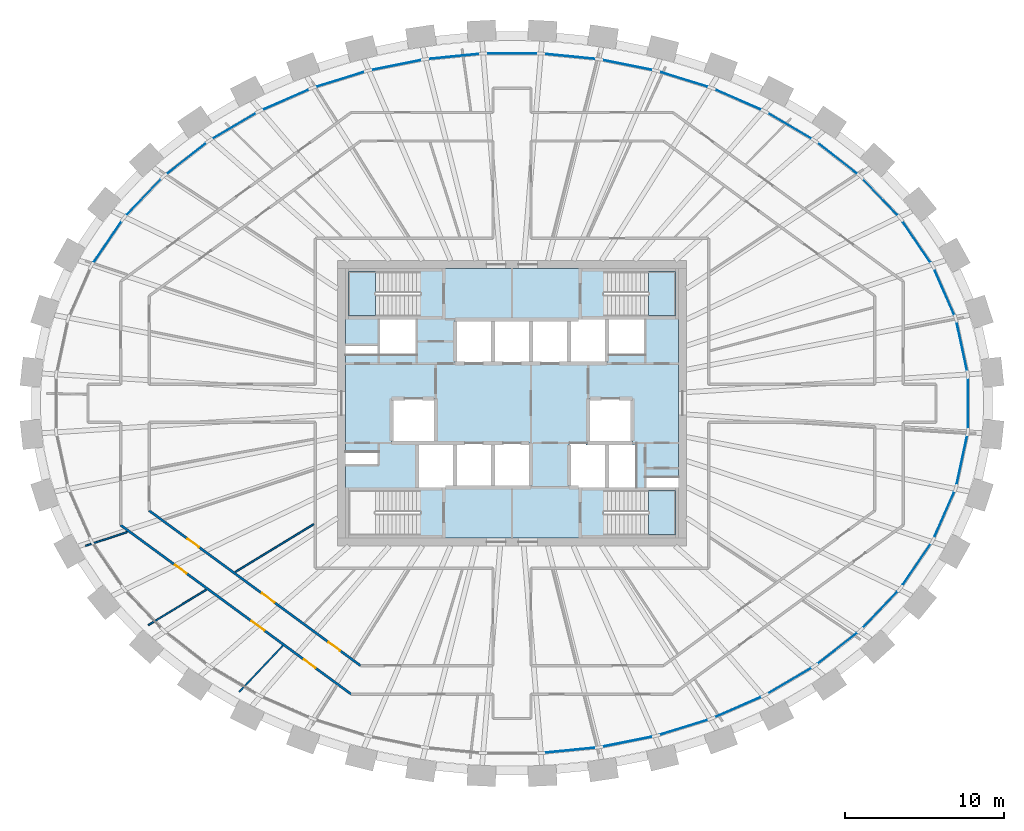
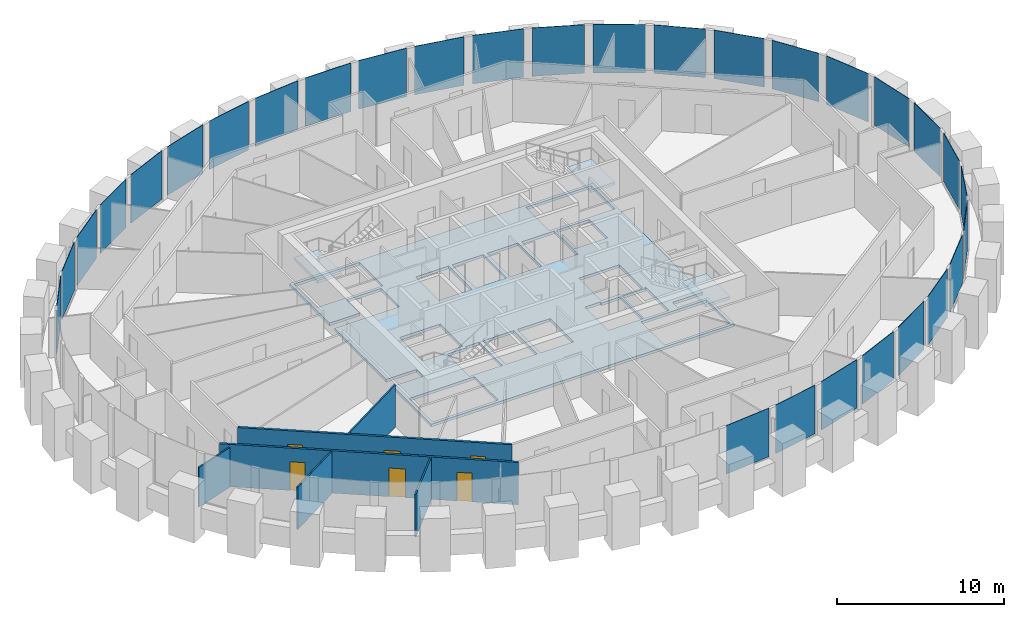
# One storey, part 5 of 12: 30 plates, 6 doors, 6 walls, 4 slabs, 6 openings, 4 elements without a shape of their own.
"""IFC4 building model written with IfcOpenShell, lengths in metres."""

from ifc_helpers import new_model, si_unit, direction, frame, frame_2d, origin, origin_2d, place, context, subcontext, project, spatial, polyline, rectangle, outline, extrude, source, transform, mapped, material, layer, layer_set, type_object, element, fill, aggregate, save


model = new_model("IFC4")

# Units and contexts
model_context = context("Model", 3, precision=1e-05, world=origin(), true_north=direction((0.0, 1.0)))
body_context = subcontext(model_context, "Body", "Model", "MODEL_VIEW")
ifc_project = project(units=[si_unit("LENGTHUNIT", "METRE"), si_unit("AREAUNIT", "SQUARE_METRE"), si_unit("VOLUMEUNIT", "CUBIC_METRE"), si_unit("PLANEANGLEUNIT", "RADIAN"), si_unit("MASSUNIT", "GRAM", prefix="KILO")], contexts=[model_context])

# Site, building, storey
site_placement = place(None, origin())
site = spatial("IfcSite", under=ifc_project, at=site_placement, CompositionType="ELEMENT")
building_placement = place(site_placement, origin())
building = spatial("IfcBuilding", under=site, at=building_placement, Name="Embergate Tower", CompositionType="ELEMENT")
storey_placement = place(building_placement, frame((0.0, 0.0, 313.0)))
storey = spatial("IfcBuildingStorey", under=building, at=storey_placement, Name="L73", CompositionType="ELEMENT", Elevation=313.0)

# Curtain wall, plates
ifc_material_1 = material(Name="Aluminium and glass", Category="aluminium")
curtain_wall_type = type_object("IfcCurtainWallType", Name="Recessed office glazing", PredefinedType="NOTDEFINED", material=ifc_material_1)
curtain_wall_placement = place(storey_placement, origin())
curtain_wall = element("IfcCurtainWall", 1, at=curtain_wall_placement, inside=storey, type_object=curtain_wall_type, Name="Recessed office glazing ring", ObjectType="RECESSED OFFICE GLAZING", PredefinedType="USERDEFINED")
ifc_material_2 = material(Name="Triple glazing, low-emissivity coating", Category="glass")
ifc_layer_1 = layer(ifc_material_2, 0.035888671875)
ifc_layer_set_1 = layer_set([ifc_layer_1], Name="Triple glazing, low-emissivity coating")
plate_type = type_object("IfcPlateType", Name="Office glazing unit", PredefinedType="CURTAIN_PANEL", material=ifc_layer_set_1)
shared_shape_1 = source(origin(), body_context, "Body", "SweptSolid", [
    extrude(rectangle(XDim=3.101318359375, YDim=0.035888671875, at=origin_2d()), origin(), (0.0, 0.0, 1.0), 3.550048828125),
])
plate_1_placement = place(storey_placement, frame((28.3701171875, 3.57958984375, 0.14990234375), z_axis=(0.0, 0.0, 1.0), x_axis=(-0.210400097438, 0.977615363524, 0.0)))
plate_1 = element("IfcPlate", 2, at=plate_1_placement, type_object=plate_type, Name="CW panel 1.1", PredefinedType="CURTAIN_PANEL", context=body_context, shape_type="MappedRepresentation", body=[
    mapped(shared_shape_1, transform((0.0, 0.0, 0.0))),
])
plate_2_placement = place(storey_placement, frame((28.3701171875, -3.57958984375, 0.14990234375), z_axis=(0.0, 0.0, 1.0), x_axis=(0.210400097438, 0.977615363524, 0.0)))
plate_2 = element("IfcPlate", 3, at=plate_2_placement, type_object=plate_type, Name="CW panel 43.1", PredefinedType="CURTAIN_PANEL", context=body_context, shape_type="MappedRepresentation", body=[
    mapped(shared_shape_1, transform((0.0, 0.0, 0.0))),
])
shared_shape_2 = source(origin(), body_context, "Body", "SweptSolid", [
    extrude(rectangle(XDim=3.108154296875, YDim=0.035888671875, at=origin_2d()), origin(), (0.0, 0.0, 1.0), 3.550048828125),
])
plate_3_placement = place(storey_placement, frame((27.260498046875, 7.010986328125, 0.14990234375), z_axis=(0.0, 0.0, 1.0), x_axis=(-0.401653699516, 0.915791627864, 0.0)))
plate_3 = element("IfcPlate", 4, at=plate_3_placement, type_object=plate_type, Name="CW panel 2.1", PredefinedType="CURTAIN_PANEL", context=body_context, shape_type="MappedRepresentation", body=[
    mapped(shared_shape_2, transform((0.0, 0.0, 0.0))),
])
plate_4_placement = place(storey_placement, frame((27.260498046875, -7.010986328125, 0.14990234375), z_axis=(0.0, 0.0, 1.0), x_axis=(0.401653699516, 0.915791627864, 0.0)))
plate_4 = element("IfcPlate", 5, at=plate_4_placement, type_object=plate_type, Name="CW panel 42.1", PredefinedType="CURTAIN_PANEL", context=body_context, shape_type="MappedRepresentation", body=[
    mapped(shared_shape_2, transform((0.0, 0.0, 0.0))),
])
shared_shape_3 = source(origin(), body_context, "Body", "SweptSolid", [
    extrude(rectangle(XDim=3.11669921875, YDim=0.035888671875, at=origin_2d()), origin(), (0.0, 0.0, 1.0), 3.550048828125),
])
plate_5_placement = place(storey_placement, frame((25.50927734375, 10.176025390625, 0.14990234375), z_axis=(0.0, 0.0, 1.0), x_axis=(-0.562343185136, 0.826903949762, 0.0)))
plate_5 = element("IfcPlate", 6, at=plate_5_placement, type_object=plate_type, Name="CW panel 3.1", PredefinedType="CURTAIN_PANEL", context=body_context, shape_type="MappedRepresentation", body=[
    mapped(shared_shape_3, transform((0.0, 0.0, 0.0))),
])
plate_6_placement = place(storey_placement, frame((-25.50927734375, 10.176025390625, 0.14990234375), z_axis=(0.0, 0.0, 1.0), x_axis=(-0.562343185136, -0.826903949762, 0.0)))
plate_6 = element("IfcPlate", 7, at=plate_6_placement, type_object=plate_type, Name="CW panel 19.1", PredefinedType="CURTAIN_PANEL", context=body_context, shape_type="MappedRepresentation", body=[
    mapped(shared_shape_3, transform((0.0, 0.0, 0.0))),
])
plate_7_placement = place(storey_placement, frame((25.50927734375, -10.176025390625, 0.14990234375), z_axis=(0.0, 0.0, 1.0), x_axis=(0.562343185136, 0.826903949762, 0.0)))
plate_7 = element("IfcPlate", 8, at=plate_7_placement, type_object=plate_type, Name="CW panel 41.1", PredefinedType="CURTAIN_PANEL", context=body_context, shape_type="MappedRepresentation", body=[
    mapped(shared_shape_3, transform((0.0, 0.0, 0.0))),
])
shared_shape_4 = source(origin(), body_context, "Body", "SweptSolid", [
    extrude(rectangle(XDim=3.125, YDim=0.035888671875, at=origin_2d()), origin(), (0.0, 0.0, 1.0), 3.550048828125),
])
plate_8_placement = place(storey_placement, frame((23.22900390625, 12.99853515625, 0.14990234375), z_axis=(0.0, 0.0, 1.0), x_axis=(-0.690133784465, 0.723681808215, 0.0)))
plate_8 = element("IfcPlate", 9, at=plate_8_placement, type_object=plate_type, Name="CW panel 4.1", PredefinedType="CURTAIN_PANEL", context=body_context, shape_type="MappedRepresentation", body=[
    mapped(shared_shape_4, transform((0.0, 0.0, 0.0))),
])
plate_9_placement = place(storey_placement, frame((-23.22900390625, 12.99853515625, 0.14990234375), z_axis=(0.0, 0.0, 1.0), x_axis=(-0.690133784465, -0.723681808215, 0.0)))
plate_9 = element("IfcPlate", 10, at=plate_9_placement, type_object=plate_type, Name="CW panel 18.1", PredefinedType="CURTAIN_PANEL", context=body_context, shape_type="MappedRepresentation", body=[
    mapped(shared_shape_4, transform((0.0, 0.0, 0.0))),
])
plate_10_placement = place(storey_placement, frame((23.22900390625, -12.99853515625, 0.14990234375), z_axis=(0.0, 0.0, 1.0), x_axis=(0.690133784465, 0.723681808215, 0.0)))
plate_10 = element("IfcPlate", 11, at=plate_10_placement, type_object=plate_type, Name="CW panel 40.1", PredefinedType="CURTAIN_PANEL", context=body_context, shape_type="MappedRepresentation", body=[
    mapped(shared_shape_4, transform((0.0, 0.0, 0.0))),
])
shared_shape_5 = source(origin(), body_context, "Body", "SweptSolid", [
    extrude(rectangle(XDim=3.13232421875, YDim=0.035888671875, at=origin_2d()), origin(), (0.0, 0.0, 1.0), 3.550048828125),
])
plate_11_placement = place(storey_placement, frame((20.531494140625, 15.44091796875, 0.14990234375), z_axis=(0.0, 0.0, 1.0), x_axis=(-0.788319045413, 0.615266676035, 0.0)))
plate_11 = element("IfcPlate", 12, at=plate_11_placement, type_object=plate_type, Name="CW panel 5.1", PredefinedType="CURTAIN_PANEL", context=body_context, shape_type="MappedRepresentation", body=[
    mapped(shared_shape_5, transform((0.0, 0.0, 0.0))),
])
plate_12_placement = place(storey_placement, frame((-20.531494140625, 15.44091796875, 0.14990234375), z_axis=(0.0, 0.0, 1.0), x_axis=(-0.788319045413, -0.615266676035, 0.0)))
plate_12 = element("IfcPlate", 13, at=plate_12_placement, type_object=plate_type, Name="CW panel 17.1", PredefinedType="CURTAIN_PANEL", context=body_context, shape_type="MappedRepresentation", body=[
    mapped(shared_shape_5, transform((0.0, 0.0, 0.0))),
])
plate_13_placement = place(storey_placement, frame((20.531494140625, -15.44091796875, 0.14990234375), z_axis=(0.0, 0.0, 1.0), x_axis=(0.788319045413, 0.615266676035, 0.0)))
plate_13 = element("IfcPlate", 14, at=plate_13_placement, type_object=plate_type, Name="CW panel 39.1", PredefinedType="CURTAIN_PANEL", context=body_context, shape_type="MappedRepresentation", body=[
    mapped(shared_shape_5, transform((0.0, 0.0, 0.0))),
])
shared_shape_6 = source(origin(), body_context, "Body", "SweptSolid", [
    extrude(rectangle(XDim=3.13818359375, YDim=0.035888671875, at=origin_2d()), origin(), (0.0, 0.0, 1.0), 3.550048828125),
])
plate_14_placement = place(storey_placement, frame((17.515380859375, 17.49169921875, 0.14990234375), z_axis=(0.0, 0.0, 1.0), x_axis=(-0.862051398678, 0.50682086188, 0.0)))
plate_14 = element("IfcPlate", 15, at=plate_14_placement, type_object=plate_type, Name="CW panel 6.1", PredefinedType="CURTAIN_PANEL", context=body_context, shape_type="MappedRepresentation", body=[
    mapped(shared_shape_6, transform((0.0, 0.0, 0.0))),
])
plate_15_placement = place(storey_placement, frame((-17.515380859375, 17.49169921875, 0.14990234375), z_axis=(0.0, 0.0, 1.0), x_axis=(-0.862051398678, -0.50682086188, 0.0)))
plate_15 = element("IfcPlate", 16, at=plate_15_placement, type_object=plate_type, Name="CW panel 16.1", PredefinedType="CURTAIN_PANEL", context=body_context, shape_type="MappedRepresentation", body=[
    mapped(shared_shape_6, transform((0.0, 0.0, 0.0))),
])
plate_16_placement = place(storey_placement, frame((17.515380859375, -17.49169921875, 0.14990234375), z_axis=(0.0, 0.0, 1.0), x_axis=(0.862051398678, 0.50682086188, 0.0)))
plate_16 = element("IfcPlate", 17, at=plate_16_placement, type_object=plate_type, Name="CW panel 38.1", PredefinedType="CURTAIN_PANEL", context=body_context, shape_type="MappedRepresentation", body=[
    mapped(shared_shape_6, transform((0.0, 0.0, 0.0))),
])
shared_shape_7 = source(origin(), body_context, "Body", "SweptSolid", [
    extrude(rectangle(XDim=3.142578125, YDim=0.035888671875, at=origin_2d()), origin(), (0.0, 0.0, 1.0), 3.550048828125),
])
plate_17_placement = place(storey_placement, frame((14.260498046875, 19.15234375, 0.14990234375), z_axis=(0.0, 0.0, 1.0), x_axis=(-0.916234813243, 0.400641694037, 0.0)))
plate_17 = element("IfcPlate", 18, at=plate_17_placement, type_object=plate_type, Name="CW panel 7.1", PredefinedType="CURTAIN_PANEL", context=body_context, shape_type="MappedRepresentation", body=[
    mapped(shared_shape_7, transform((0.0, 0.0, 0.0))),
])
plate_18_placement = place(storey_placement, frame((-14.260498046875, 19.15234375, 0.14990234375), z_axis=(0.0, 0.0, 1.0), x_axis=(-0.916234813243, -0.400641694037, 0.0)))
plate_18 = element("IfcPlate", 19, at=plate_18_placement, type_object=plate_type, Name="CW panel 15.1", PredefinedType="CURTAIN_PANEL", context=body_context, shape_type="MappedRepresentation", body=[
    mapped(shared_shape_7, transform((0.0, 0.0, 0.0))),
])
plate_19_placement = place(storey_placement, frame((14.260498046875, -19.15234375, 0.14990234375), z_axis=(0.0, 0.0, 1.0), x_axis=(0.916234813243, 0.400641694037, 0.0)))
plate_19 = element("IfcPlate", 20, at=plate_19_placement, type_object=plate_type, Name="CW panel 37.1", PredefinedType="CURTAIN_PANEL", context=body_context, shape_type="MappedRepresentation", body=[
    mapped(shared_shape_7, transform((0.0, 0.0, 0.0))),
])
shared_shape_8 = source(origin(), body_context, "Body", "SweptSolid", [
    extrude(rectangle(XDim=3.145751953125, YDim=0.035888671875, at=origin_2d()), origin(), (0.0, 0.0, 1.0), 3.550048828125),
])
plate_20_placement = place(storey_placement, frame((10.832763671875, 20.430908203125, 0.14990234375), z_axis=(0.0, 0.0, 1.0), x_axis=(-0.954771179262, 0.297341546458, 0.0)))
plate_20 = element("IfcPlate", 21, at=plate_20_placement, type_object=plate_type, Name="CW panel 8.1", PredefinedType="CURTAIN_PANEL", context=body_context, shape_type="MappedRepresentation", body=[
    mapped(shared_shape_8, transform((0.0, 0.0, 0.0))),
])
plate_21_placement = place(storey_placement, frame((-10.832763671875, 20.430908203125, 0.14990234375), z_axis=(0.0, 0.0, 1.0), x_axis=(-0.954771179262, -0.297341546458, 0.0)))
plate_21 = element("IfcPlate", 22, at=plate_21_placement, type_object=plate_type, Name="CW panel 14.1", PredefinedType="CURTAIN_PANEL", context=body_context, shape_type="MappedRepresentation", body=[
    mapped(shared_shape_8, transform((0.0, 0.0, 0.0))),
])
plate_22_placement = place(storey_placement, frame((10.832763671875, -20.430908203125, 0.14990234375), z_axis=(0.0, 0.0, 1.0), x_axis=(0.954771179262, 0.297341546458, 0.0)))
plate_22 = element("IfcPlate", 23, at=plate_22_placement, type_object=plate_type, Name="CW panel 36.1", PredefinedType="CURTAIN_PANEL", context=body_context, shape_type="MappedRepresentation", body=[
    mapped(shared_shape_8, transform((0.0, 0.0, 0.0))),
])
shared_shape_9 = source(origin(), body_context, "Body", "SweptSolid", [
    extrude(rectangle(XDim=3.14794921875, YDim=0.035888671875, at=origin_2d()), origin(), (0.0, 0.0, 1.0), 3.550048828125),
])
plate_23_placement = place(storey_placement, frame((7.28466796875, 21.336669921875, 0.14990234375), z_axis=(0.0, 0.0, 1.0), x_axis=(-0.980475564207, 0.196640962142, 0.0)))
plate_23 = element("IfcPlate", 24, at=plate_23_placement, type_object=plate_type, Name="CW panel 9.1", PredefinedType="CURTAIN_PANEL", context=body_context, shape_type="MappedRepresentation", body=[
    mapped(shared_shape_9, transform((0.0, 0.0, 0.0))),
])
plate_24_placement = place(storey_placement, frame((-7.28466796875, 21.336669921875, 0.14990234375), z_axis=(0.0, 0.0, 1.0), x_axis=(-0.980475564207, -0.196640962142, 0.0)))
plate_24 = element("IfcPlate", 25, at=plate_24_placement, type_object=plate_type, Name="CW panel 13.1", PredefinedType="CURTAIN_PANEL", context=body_context, shape_type="MappedRepresentation", body=[
    mapped(shared_shape_9, transform((0.0, 0.0, 0.0))),
])
plate_25_placement = place(storey_placement, frame((7.28466796875, -21.336669921875, 0.14990234375), z_axis=(0.0, 0.0, 1.0), x_axis=(0.980475564207, 0.196640962142, 0.0)))
plate_25 = element("IfcPlate", 26, at=plate_25_placement, type_object=plate_type, Name="CW panel 35.1", PredefinedType="CURTAIN_PANEL", context=body_context, shape_type="MappedRepresentation", body=[
    mapped(shared_shape_9, transform((0.0, 0.0, 0.0))),
])
shared_shape_10 = source(origin(), body_context, "Body", "SweptSolid", [
    extrude(rectangle(XDim=3.149169921875, YDim=0.035888671875, at=origin_2d()), origin(), (0.0, 0.0, 1.0), 3.550048828125),
])
plate_26_placement = place(storey_placement, frame((3.66064453125, 21.876708984375, 0.14990234375), z_axis=(0.0, 0.0, 1.0), x_axis=(-0.995203184788, 0.097829550688, 0.0)))
plate_26 = element("IfcPlate", 27, at=plate_26_placement, type_object=plate_type, Name="CW panel 10.1", PredefinedType="CURTAIN_PANEL", context=body_context, shape_type="MappedRepresentation", body=[
    mapped(shared_shape_10, transform((0.0, 0.0, 0.0))),
])
plate_27_placement = place(storey_placement, frame((-3.66064453125, 21.876708984375, 0.14990234375), z_axis=(0.0, 0.0, 1.0), x_axis=(-0.995203184788, -0.097829550688, 0.0)))
plate_27 = element("IfcPlate", 28, at=plate_27_placement, type_object=plate_type, Name="CW panel 12.1", PredefinedType="CURTAIN_PANEL", context=body_context, shape_type="MappedRepresentation", body=[
    mapped(shared_shape_10, transform((0.0, 0.0, 0.0))),
])
plate_28_placement = place(storey_placement, frame((3.66064453125, -21.876708984375, 0.14990234375), z_axis=(0.0, 0.0, 1.0), x_axis=(0.995203184788, 0.097829550688, 0.0)))
plate_28 = element("IfcPlate", 29, at=plate_28_placement, type_object=plate_type, Name="CW panel 34.1", PredefinedType="CURTAIN_PANEL", context=body_context, shape_type="MappedRepresentation", body=[
    mapped(shared_shape_10, transform((0.0, 0.0, 0.0))),
])
shared_shape_11 = source(origin(), body_context, "Body", "SweptSolid", [
    extrude(rectangle(XDim=3.149658203125, YDim=0.035888671875, at=origin_2d()), origin(), (0.0, 0.0, 1.0), 3.550048828125),
])
plate_29_placement = place(storey_placement, frame((0.0, 22.05615234375, 0.14990234375), z_axis=(0.0, 0.0, 1.0), x_axis=(-1.0, 0.0, 0.0)))
plate_29 = element("IfcPlate", 30, at=plate_29_placement, type_object=plate_type, Name="CW panel 11.1", PredefinedType="CURTAIN_PANEL", context=body_context, shape_type="MappedRepresentation", body=[
    mapped(shared_shape_11, transform((0.0, 0.0, 0.0))),
])
shared_shape_12 = source(origin(), body_context, "Body", "SweptSolid", [
    extrude(rectangle(XDim=3.098876953125, YDim=0.035888671875, at=origin_2d()), origin(), (0.0, 0.0, 1.0), 3.550048828125),
])
plate_30_placement = place(storey_placement, frame((28.7509765625, 0.0, 0.14990234375), z_axis=(0.0, 0.0, 1.0), x_axis=(0.0, 1.0, 0.0)))
plate_30 = element("IfcPlate", 31, at=plate_30_placement, type_object=plate_type, Name="CW panel 44.1", PredefinedType="CURTAIN_PANEL", context=body_context, shape_type="MappedRepresentation", body=[
    mapped(shared_shape_12, transform((0.0, 0.0, 0.0))),
])
aggregate(curtain_wall, [plate_1, plate_3, plate_5, plate_8, plate_11, plate_14, plate_17, plate_20, plate_23, plate_26, plate_29, plate_27, plate_24, plate_21, plate_18, plate_15, plate_12, plate_9, plate_6, plate_28, plate_25, plate_22, plate_19, plate_16, plate_13, plate_10, plate_7, plate_4, plate_2, plate_30])

# Stair, slab
ifc_material_3 = material(Name="Exit stair")
stair_type = type_object("IfcStairType", Name="Exit stair", PredefinedType="HALF_TURN_STAIR", material=ifc_material_3)
stair_1_placement = place(storey_placement, origin())
stair_1 = element("IfcStair", 32, at=stair_1_placement, inside=storey, type_object=stair_type, Name="L73 Exit stair 1", PredefinedType="HALF_TURN_STAIR")
ifc_material_4 = material(Name="Concrete C40", Category="concrete")
ifc_layer_2 = layer(ifc_material_4, 0.199951171875)
ifc_layer_set_2 = layer_set([ifc_layer_2], Name="Concrete C40")
slab_type_1 = type_object("IfcSlabType", Name="Stair landing reinforced concrete", PredefinedType="LANDING", material=ifc_layer_set_2)
shared_shape_13 = source(origin(), body_context, "Body", "SweptSolid", [
    extrude(outline(polyline([(0.0, 0.0), (1.68994140625, 0.0), (1.68994140625, 2.800048828125), (0.0, 2.800048828125), (0.0, 0.0)])), origin(), (0.0, 0.0, 1.0), 0.199951171875),
])
slab_1_placement = place(storey_placement, frame((-10.300048828125, 5.5, 1.75)))
slab_1 = element("IfcSlab", 33, at=slab_1_placement, type_object=slab_type_1, Name="ST1 landing 1", PredefinedType="LANDING", context=body_context, shape_type="MappedRepresentation", body=[
    mapped(shared_shape_13, transform((0.0, 0.0, 0.0))),
])
aggregate(stair_1, [slab_1])

stair_2_placement = place(storey_placement, origin())
stair_2 = element("IfcStair", 34, at=stair_2_placement, inside=storey, type_object=stair_type, Name="L73 Exit stair 2", PredefinedType="HALF_TURN_STAIR")
slab_2_placement = place(storey_placement, frame((8.610107421875, 5.5, 1.75)))
slab_2 = element("IfcSlab", 35, at=slab_2_placement, type_object=slab_type_1, Name="ST2 landing 1", PredefinedType="LANDING", context=body_context, shape_type="MappedRepresentation", body=[
    mapped(shared_shape_13, transform((0.0, 0.0, 0.0))),
])
aggregate(stair_2, [slab_2])

stair_3_placement = place(storey_placement, origin())
stair_3 = element("IfcStair", 36, at=stair_3_placement, inside=storey, type_object=stair_type, Name="L73 Exit stair 4", PredefinedType="HALF_TURN_STAIR")
slab_3_placement = place(storey_placement, frame((8.610107421875, -8.300048828125, 1.75)))
slab_3 = element("IfcSlab", 37, at=slab_3_placement, type_object=slab_type_1, Name="ST4 landing 1", PredefinedType="LANDING", context=body_context, shape_type="MappedRepresentation", body=[
    mapped(shared_shape_13, transform((0.0, 0.0, 0.0))),
])
aggregate(stair_3, [slab_3])

# Slab
ifc_layer_3 = layer(ifc_material_4, 0.199951171875)
ifc_layer_set_3 = layer_set([ifc_layer_3], Name="Concrete C40")
slab_type_2 = type_object("IfcSlabType", Name="Core floor slab 200 reinforced concrete", PredefinedType="FLOOR", material=ifc_layer_set_3)
shared_shape_14 = source(origin(), body_context, "Body", "SweptSolid", [
    extrude(outline(polyline([(0.0, 0.0), (21.0, 0.0), (21.0, 3.199951171875), (18.89990234375, 3.199951171875), (18.89990234375, 3.803955078125), (21.0, 3.803955078125), (21.0, 17.0), (0.0, 17.0), (0.0, 12.2041015625), (2.10009765625, 12.2041015625), (2.10009765625, 13.800048828125), (4.5, 13.800048828125), (4.5, 11.60009765625), (2.10009765625, 11.60009765625), (0.0, 11.60009765625), (0.0, 5.39990234375), (2.10009765625, 5.39990234375), (2.10009765625, 4.60009765625), (0.0, 4.60009765625), (0.0, 0.0)]), holes=[polyline([(0.199951171875, 0.199951171875), (0.199951171875, 3.0), (4.739990234375, 3.0), (4.739990234375, 0.199951171875), (0.199951171875, 0.199951171875)]), polyline([(16.260009765625, 0.199951171875), (16.260009765625, 3.0), (20.800048828125, 3.0), (20.800048828125, 0.199951171875), (16.260009765625, 0.199951171875)]), polyline([(4.5, 3.199951171875), (4.5, 5.875), (5.824951171875, 5.875), (5.824951171875, 6.0), (6.77490234375, 6.0), (6.77490234375, 3.199951171875), (4.5, 3.199951171875)]), polyline([(7.02490234375, 3.199951171875), (7.02490234375, 6.0), (9.175048828125, 6.0), (9.175048828125, 3.199951171875), (7.02490234375, 3.199951171875)]), polyline([(9.425048828125, 3.199951171875), (9.425048828125, 6.0), (11.699951171875, 6.0), (11.699951171875, 3.199951171875), (9.425048828125, 3.199951171875)]), polyline([(14.10009765625, 3.199951171875), (14.10009765625, 6.0), (15.175048828125, 6.0), (15.175048828125, 5.875), (16.5, 5.875), (16.5, 3.199951171875), (14.10009765625, 3.199951171875)]), polyline([(16.625, 3.199951171875), (16.625, 5.875), (18.22509765625, 5.875), (18.22509765625, 6.0), (18.300048828125, 6.0), (18.300048828125, 3.199951171875), (16.625, 3.199951171875)]), polyline([(2.89990234375, 6.0), (2.89990234375, 8.800048828125), (5.699951171875, 8.800048828125), (5.699951171875, 6.125), (4.375, 6.125), (4.375, 6.0), (2.89990234375, 6.0)]), polyline([(16.625, 6.0), (16.625, 6.125), (15.300048828125, 6.125), (15.300048828125, 8.800048828125), (18.10009765625, 8.800048828125), (18.10009765625, 6.0), (16.625, 6.0)]), polyline([(6.89990234375, 11.0), (6.89990234375, 13.800048828125), (9.175048828125, 13.800048828125), (9.175048828125, 11.0), (6.89990234375, 11.0)]), polyline([(9.425048828125, 11.0), (9.425048828125, 13.800048828125), (11.574951171875, 13.800048828125), (11.574951171875, 11.0), (9.425048828125, 11.0)]), polyline([(11.824951171875, 11.0), (11.824951171875, 13.800048828125), (13.97509765625, 13.800048828125), (13.97509765625, 11.0), (11.824951171875, 11.0)]), polyline([(14.22509765625, 11.0), (14.22509765625, 13.800048828125), (16.5, 13.800048828125), (16.5, 11.0), (14.22509765625, 11.0)]), polyline([(16.625, 11.60009765625), (16.625, 13.800048828125), (18.89990234375, 13.800048828125), (18.89990234375, 11.60009765625), (16.625, 11.60009765625)]), polyline([(0.199951171875, 14.0), (0.199951171875, 16.800048828125), (4.739990234375, 16.800048828125), (4.739990234375, 14.0), (0.199951171875, 14.0)]), polyline([(16.260009765625, 14.0), (16.260009765625, 16.800048828125), (20.800048828125, 16.800048828125), (20.800048828125, 14.0), (16.260009765625, 14.0)])]), origin(), (0.0, 0.0, 1.0), 0.199951171875),
])
slab_4_placement = place(storey_placement, frame((-10.5, -8.5, -0.199951171875)))
element("IfcSlab", 38, at=slab_4_placement, inside=storey, type_object=slab_type_2, Name="Core floor slab", PredefinedType="FLOOR", context=body_context, shape_type="MappedRepresentation", body=[
    mapped(shared_shape_14, transform((0.0, 0.0, 0.0))),
])

# Wall, openings, doors
ifc_material_5 = material(Name="Corridor wall dry-lined 150")
ifc_layer_4 = layer(ifc_material_5, 0.14990234375)
ifc_layer_set_4 = layer_set([ifc_layer_4], Name="Corridor wall dry-lined 150")
wall_type_1 = type_object("IfcWallType", Name="Corridor wall dry-lined 150", PredefinedType="PARTITIONING", material=ifc_layer_set_4)
shared_shape_15 = source(origin(), body_context, "Body", "SweptSolid", [
    extrude(rectangle(XDim=18.027099609375, YDim=0.14990234375, at=frame_2d((9.013671875, 0.0))), origin(), (0.0, 0.0, 1.0), 3.10009765625),
])
wall_1_placement = place(storey_placement, frame((-10.14501953125, -18.341064453125, 0.0), z_axis=(0.0, 0.0, 1.0), x_axis=(-0.80638475932, 0.591391257914, 0.0)))
wall_1 = element("IfcWall", 39, at=wall_1_placement, inside=storey, type_object=wall_type_1, Name="IP-2 wall", PredefinedType="PARTITIONING", context=body_context, shape_type="MappedRepresentation", body=[
    mapped(shared_shape_15, transform((0.0, 0.0, 0.0))),
])
shared_shape_16 = source(origin(), body_context, "Body", "SweptSolid", [
    extrude(rectangle(XDim=0.89990234375, YDim=2.10009765625, at=frame_2d((0.449951171875, 1.050048828125))), frame((0.0, 0.0849609375, 0.0), z_axis=(0.0, -1.0, 0.0), x_axis=(1.0, 0.0, 0.0)), (0.0, 0.0, 1.0), 0.169921875),
])
opening_1_placement = place(wall_1_placement, frame((12.8671875, 0.0, 0.0)))
opening_1 = element("IfcOpeningElement", 40, at=opening_1_placement, cuts=wall_1, Name="Opening IF-1c", PredefinedType="OPENING", context=body_context, shape_type="MappedRepresentation", body=[
    mapped(shared_shape_16, transform((0.0, 0.0, 0.0))),
])
shared_shape_17 = source(origin(), body_context, "Body", "SweptSolid", [
    extrude(rectangle(XDim=1.0, YDim=2.10009765625, at=frame_2d((0.5, 1.050048828125))), frame((0.0, 0.0849609375, 0.0), z_axis=(0.0, -1.0, 0.0), x_axis=(1.0, 0.0, 0.0)), (0.0, 0.0, 1.0), 0.169921875),
])
opening_2_placement = place(wall_1_placement, frame((6.787841796875, 0.0, 0.0)))
opening_2 = element("IfcOpeningElement", 41, at=opening_2_placement, cuts=wall_1, Name="Opening ID-2", PredefinedType="OPENING", context=body_context, shape_type="MappedRepresentation", body=[
    mapped(shared_shape_17, transform((0.0, 0.0, 0.0))),
])
opening_3_placement = place(wall_1_placement, frame((2.79345703125, 0.0, 0.0)))
opening_3 = element("IfcOpeningElement", 42, at=opening_3_placement, cuts=wall_1, Name="Opening IF-1c", PredefinedType="OPENING", context=body_context, shape_type="MappedRepresentation", body=[
    mapped(shared_shape_16, transform((0.0, 0.0, 0.0))),
])
ifc_material_6 = material(Name="Escape fire door 900")
door_type_1 = type_object("IfcDoorType", Name="Escape fire door 900", OperationType="SINGLE_SWING_LEFT", PredefinedType="DOOR", material=ifc_material_6)
shared_shape_18 = source(origin(), body_context, "Body", "SweptSolid", [
    extrude(rectangle(XDim=0.89990234375, YDim=2.10009765625, at=frame_2d((0.449951171875, 1.050048828125))), frame((0.0, 0.02490234375, 0.0), z_axis=(0.0, -1.0, 0.0), x_axis=(1.0, 0.0, 0.0)), (0.0, 0.0, 1.0), 0.050048828125),
])
door_1_placement = place(opening_1_placement, origin())
door_1 = element("IfcDoor", 43, at=door_1_placement, inside=storey, type_object=door_type_1, Name="IF-1 door", OperationType="SINGLE_SWING_LEFT", OverallHeight=2.10009765625, OverallWidth=0.89990234375, PredefinedType="DOOR", context=body_context, shape_type="MappedRepresentation", body=[
    mapped(shared_shape_18, transform((0.0, 0.0, 0.0))),
])
fill(opening_1, door_1)
door_2_placement = place(opening_3_placement, origin())
door_2 = element("IfcDoor", 44, at=door_2_placement, inside=storey, type_object=door_type_1, Name="IF-1 door", OperationType="SINGLE_SWING_LEFT", OverallHeight=2.10009765625, OverallWidth=0.89990234375, PredefinedType="DOOR", context=body_context, shape_type="MappedRepresentation", body=[
    mapped(shared_shape_18, transform((0.0, 0.0, 0.0))),
])
fill(opening_3, door_2)
ifc_material_7 = material(Name="Interior door 1000")
door_type_2 = type_object("IfcDoorType", Name="Interior door 1000", OperationType="SINGLE_SWING_LEFT", PredefinedType="DOOR", material=ifc_material_7)
shared_shape_19 = source(origin(), body_context, "Body", "SweptSolid", [
    extrude(rectangle(XDim=1.0, YDim=2.10009765625, at=frame_2d((0.5, 1.050048828125))), frame((0.0, 0.02490234375, 0.0), z_axis=(0.0, -1.0, 0.0), x_axis=(1.0, 0.0, 0.0)), (0.0, 0.0, 1.0), 0.050048828125),
])
door_3_placement = place(opening_2_placement, origin())
door_3 = element("IfcDoor", 45, at=door_3_placement, inside=storey, type_object=door_type_2, Name="ID-2 door", OperationType="SINGLE_SWING_LEFT", OverallHeight=2.10009765625, OverallWidth=1.0, PredefinedType="DOOR", context=body_context, shape_type="MappedRepresentation", body=[
    mapped(shared_shape_19, transform((0.0, 0.0, 0.0))),
])
fill(opening_2, door_3)

shared_shape_20 = source(origin(), body_context, "Body", "SweptSolid", [
    extrude(rectangle(XDim=16.525634765625, YDim=0.14990234375, at=frame_2d((8.2626953125, 0.0))), origin(), (0.0, 0.0, 1.0), 3.10009765625),
])
wall_2_placement = place(storey_placement, frame((-9.555908203125, -16.541015625, 0.0), z_axis=(0.0, 0.0, 1.0), x_axis=(-0.806392784122, 0.591380315631, 0.0)))
wall_2 = element("IfcWall", 46, at=wall_2_placement, inside=storey, type_object=wall_type_1, Name="IP-2 wall", PredefinedType="PARTITIONING", context=body_context, shape_type="MappedRepresentation", body=[
    mapped(shared_shape_20, transform((0.0, 0.0, 0.0))),
])
opening_4_placement = place(wall_2_placement, frame((12.61572265625, 0.0, 0.0)))
opening_4 = element("IfcOpeningElement", 47, at=opening_4_placement, cuts=wall_2, Name="Opening IF-1c", PredefinedType="OPENING", context=body_context, shape_type="MappedRepresentation", body=[
    mapped(shared_shape_16, transform((0.0, 0.0, 0.0))),
])
opening_5_placement = place(wall_2_placement, frame((6.71142578125, 0.0, 0.0)))
opening_5 = element("IfcOpeningElement", 48, at=opening_5_placement, cuts=wall_2, Name="Opening ID-2", PredefinedType="OPENING", context=body_context, shape_type="MappedRepresentation", body=[
    mapped(shared_shape_17, transform((0.0, 0.0, 0.0))),
])
opening_6_placement = place(wall_2_placement, frame((1.585205078125, 0.0, 0.0)))
opening_6 = element("IfcOpeningElement", 49, at=opening_6_placement, cuts=wall_2, Name="Opening IF-1c", PredefinedType="OPENING", context=body_context, shape_type="MappedRepresentation", body=[
    mapped(shared_shape_16, transform((0.0, 0.0, 0.0))),
])
door_4_placement = place(opening_4_placement, origin())
door_4 = element("IfcDoor", 50, at=door_4_placement, inside=storey, type_object=door_type_1, Name="IF-1 door", OperationType="SINGLE_SWING_RIGHT", OverallHeight=2.10009765625, OverallWidth=0.89990234375, PredefinedType="DOOR", context=body_context, shape_type="MappedRepresentation", body=[
    mapped(shared_shape_18, transform((0.0, 0.0, 0.0))),
])
fill(opening_4, door_4)
door_5_placement = place(opening_6_placement, origin())
door_5 = element("IfcDoor", 51, at=door_5_placement, inside=storey, type_object=door_type_1, Name="IF-1 door", OperationType="SINGLE_SWING_LEFT", OverallHeight=2.10009765625, OverallWidth=0.89990234375, PredefinedType="DOOR", context=body_context, shape_type="MappedRepresentation", body=[
    mapped(shared_shape_18, transform((0.0, 0.0, 0.0))),
])
fill(opening_6, door_5)
door_6_placement = place(opening_5_placement, origin())
door_6 = element("IfcDoor", 52, at=door_6_placement, inside=storey, type_object=door_type_2, Name="ID-2 door", OperationType="SINGLE_SWING_RIGHT", OverallHeight=2.10009765625, OverallWidth=1.0, PredefinedType="DOOR", context=body_context, shape_type="MappedRepresentation", body=[
    mapped(shared_shape_19, transform((0.0, 0.0, 0.0))),
])
fill(opening_5, door_6)

# Walls
ifc_material_8 = material(Name="Partition dry-lined 100")
ifc_layer_5 = layer(ifc_material_8, 0.10009765625)
ifc_layer_set_5 = layer_set([ifc_layer_5], Name="Partition dry-lined 100")
wall_type_2 = type_object("IfcWallType", Name="Partition dry-lined 100", PredefinedType="PARTITIONING", material=ifc_layer_set_5)
shared_shape_21 = source(origin(), body_context, "Body", "SweptSolid", [
    extrude(rectangle(XDim=4.292724609375, YDim=0.10009765625, at=frame_2d((2.146484375, 0.0))), origin(), (0.0, 0.0, 1.0), 3.10009765625),
])
wall_3_placement = place(storey_placement, frame((-19.281982421875, -11.757080078125, 0.0), z_axis=(0.0, 0.0, 1.0), x_axis=(-0.853787543506, -0.520621580952, 0.0)))
element("IfcWall", 53, at=wall_3_placement, inside=storey, type_object=wall_type_2, Name="IP-1 wall", PredefinedType="PARTITIONING", context=body_context, shape_type="MappedRepresentation", body=[
    mapped(shared_shape_21, transform((0.0, 0.0, 0.0))),
])
shared_shape_22 = source(origin(), body_context, "Body", "SweptSolid", [
    extrude(rectangle(XDim=4.014404296875, YDim=0.10009765625, at=frame_2d((2.00732421875, 0.0))), origin(), (0.0, 0.0, 1.0), 3.10009765625),
])
wall_4_placement = place(storey_placement, frame((-14.449951171875, -15.283935546875, 0.0), z_axis=(0.0, 0.0, 1.0), x_axis=(-0.687034152101, -0.726625126078, 0.0)))
element("IfcWall", 54, at=wall_4_placement, inside=storey, type_object=wall_type_2, Name="IP-1 wall", PredefinedType="PARTITIONING", context=body_context, shape_type="MappedRepresentation", body=[
    mapped(shared_shape_22, transform((0.0, 0.0, 0.0))),
])
shared_shape_23 = source(origin(), body_context, "Body", "SweptSolid", [
    extrude(rectangle(XDim=5.791748046875, YDim=0.10009765625, at=frame_2d((2.89599609375, 0.0))), origin(), (0.0, 0.0, 1.0), 3.10009765625),
])
wall_5_placement = place(storey_placement, frame((-12.5009765625, -7.623046875, 0.0), z_axis=(0.0, 0.0, 1.0), x_axis=(-0.853826336486, -0.520557957505, 0.0)))
element("IfcWall", 55, at=wall_5_placement, inside=storey, type_object=wall_type_2, Name="IP-1 wall", PredefinedType="PARTITIONING", context=body_context, shape_type="MappedRepresentation", body=[
    mapped(shared_shape_23, transform((0.0, 0.0, 0.0))),
])
shared_shape_24 = source(origin(), body_context, "Body", "SweptSolid", [
    extrude(rectangle(XDim=2.76171875, YDim=0.10009765625, at=frame_2d((1.380859375, 0.0))), origin(), (0.0, 0.0, 1.0), 2.89990234375),
])
wall_6_placement = place(storey_placement, frame((-24.264892578125, -8.114013671875, 0.0), z_axis=(0.0, 0.0, 1.0), x_axis=(-0.948364574498, -0.317182335319, 0.0)))
element("IfcWall", 56, at=wall_6_placement, inside=storey, type_object=wall_type_2, Name="IP-1 wall", PredefinedType="PARTITIONING", context=body_context, shape_type="MappedRepresentation", body=[
    mapped(shared_shape_24, transform((0.0, 0.0, 0.0))),
])

save(model, "model.ifc")
